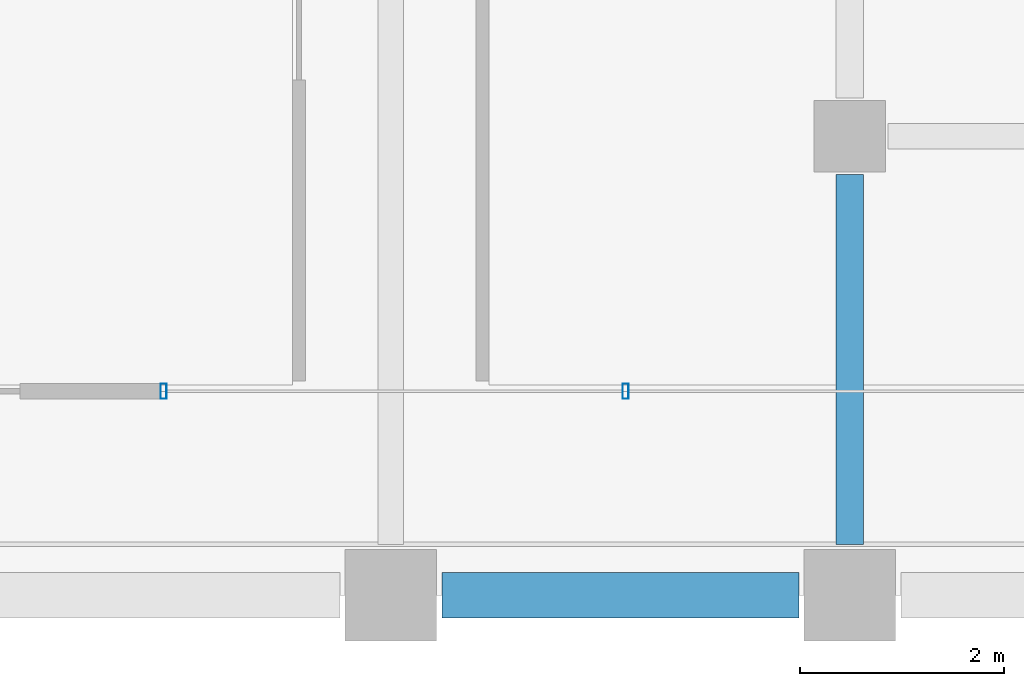
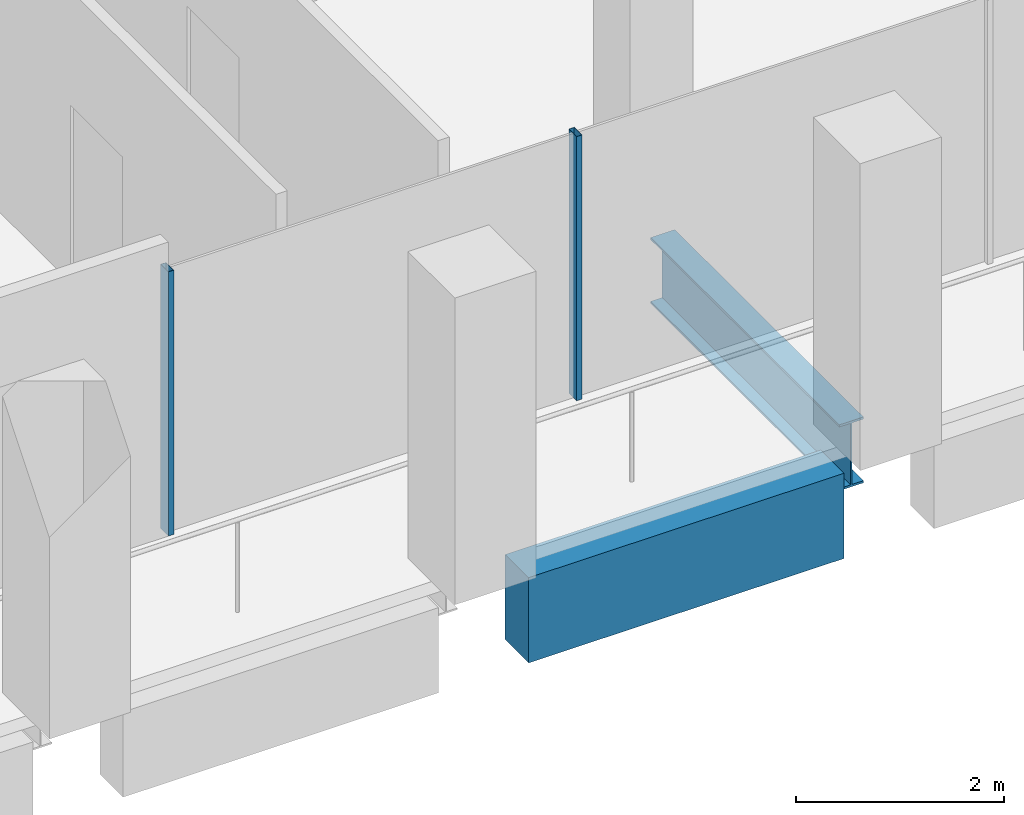
# One storey, part 9 of 44: 2 beams, 2 members, 1 element without a shape of its own.
"""IFC4 building model written with IfcOpenShell, lengths in metres."""

from ifc_helpers import new_model, si_unit, direction, frame, origin, origin_2d, place, context, subcontext, project, spatial, rectangle, hollow_rectangle, i_section, extrude, material, material_profile, profile_set, type_object, element, aggregate, save


model = new_model("IFC4")

# Units and contexts
model_context = context("Model", 3, precision=1e-05, world=origin(), true_north=direction((0.0, 1.0)))
body_context = subcontext(model_context, "Body", "Model", "MODEL_VIEW")
ifc_project = project(units=[si_unit("LENGTHUNIT", "METRE"), si_unit("AREAUNIT", "SQUARE_METRE"), si_unit("VOLUMEUNIT", "CUBIC_METRE"), si_unit("PLANEANGLEUNIT", "RADIAN"), si_unit("MASSUNIT", "GRAM", prefix="KILO")], contexts=[model_context])

# Site, building, storey
site_placement = place(None, origin())
site = spatial("IfcSite", under=ifc_project, at=site_placement, CompositionType="ELEMENT")
building_placement = place(site_placement, origin())
building = spatial("IfcBuilding", under=site, at=building_placement, Name="Altepetl Exchange Towers", CompositionType="ELEMENT")
storey_placement = place(building_placement, frame((0.0, 0.0, 143.800048828125)))
storey = spatial("IfcBuildingStorey", under=building, at=storey_placement, Name="L35", CompositionType="ELEMENT", Elevation=143.800048828125)

# Beam
ifc_material_1 = material(Name="Steel S355", Category="steel")
ifc_material_profile_1 = material_profile(ifc_material_1, i_section(OverallWidth=0.26806640625, OverallDepth=0.77392578125, WebThickness=0.015380859375, FlangeThickness=0.025390625, at=origin_2d()), Name="W30X132")
ifc_profile_set_1 = profile_set([ifc_material_profile_1], Name="Steel S355")
beam_type_1 = type_object("IfcBeamType", Name="Girder W30X132", PredefinedType="BEAM", material=ifc_profile_set_1)
beam_1_placement = place(storey_placement, frame((58.5, 31.125, -0.537109375), z_axis=(0.0, -1.0, 0.0), x_axis=(1.0, 0.0, 0.0)))
element("IfcBeam", 1, at=beam_1_placement, inside=storey, type_object=beam_type_1, Name="gd:A:L35:005", PredefinedType="BEAM", context=body_context, shape_type="SweptSolid", body=[
    extrude(i_section(OverallWidth=0.26806640625, OverallDepth=0.77392578125, WebThickness=0.015380859375, FlangeThickness=0.025390625, at=origin_2d()), origin(), (0.0, 0.0, 1.0), 3.625),
])

# Curtain wall, members
ifc_material_2 = material(Name="Aluminium 6063-T6 glazing", Category="aluminium")
curtain_wall_type = type_object("IfcCurtainWallType", Name="Loggia glazing system", PredefinedType="NOTDEFINED", material=ifc_material_2)
curtain_wall_placement = place(storey_placement, origin())
curtain_wall = element("IfcCurtainWall", 2, at=curtain_wall_placement, inside=storey, type_object=curtain_wall_type, Name="CW1 run", PredefinedType="NOTDEFINED")
ifc_material_3 = material(Name="Aluminium 6063-T6", Category="aluminium")
ifc_material_profile_2 = material_profile(ifc_material_3, hollow_rectangle(XDim=0.06005859375, YDim=0.14990234375, WallThickness=0.0029296875, at=origin_2d()), Name="Mullion 60x150 aluminium")
ifc_profile_set_2 = profile_set([ifc_material_profile_2], Name="Aluminium 6063-T6")
member_type = type_object("IfcMemberType", Name="Mullion 60x150 aluminium", PredefinedType="MULLION", material=ifc_profile_set_2)
member_1_placement = place(storey_placement, frame((51.77294921875, 29.0, 0.0)))
member_1 = element("IfcMember", 3, at=member_1_placement, type_object=member_type, Name="MU1 mullion", PredefinedType="MULLION", context=body_context, shape_type="SweptSolid", body=[
    extrude(hollow_rectangle(XDim=0.06005859375, YDim=0.14990234375, WallThickness=0.0029296875, at=origin_2d()), origin(), (0.0, 0.0, 1.0), 3.099853515625),
])
member_2_placement = place(storey_placement, frame((56.303466796875, 29.0, 0.0)))
member_2 = element("IfcMember", 4, at=member_2_placement, type_object=member_type, Name="MU1 mullion", PredefinedType="MULLION", context=body_context, shape_type="SweptSolid", body=[
    extrude(hollow_rectangle(XDim=0.06005859375, YDim=0.14990234375, WallThickness=0.0029296875, at=origin_2d()), origin(), (0.0, 0.0, 1.0), 3.099853515625),
])
aggregate(curtain_wall, [member_1, member_2])

# Beam
ifc_material_4 = material(Name="Concrete C50/60 precast with cantera blanca facing", Category="concrete")
ifc_material_profile_3 = material_profile(ifc_material_4, rectangle(XDim=0.449951171875, YDim=1.0, at=origin_2d()), Name="450 x 1000")
ifc_profile_set_3 = profile_set([ifc_material_profile_3], Name="Concrete C50/60 precast with cantera blanca facing")
beam_type_2 = type_object("IfcBeamType", Name="Spandrel beam 450x1000 cantera blanca", PredefinedType="SPANDREL", material=ifc_profile_set_3)
beam_2_placement = place(storey_placement, frame((54.5, 27.0, -0.650146484375), z_axis=(1.0, 0.0, 0.0), x_axis=(0.0, 1.0, 0.0)))
element("IfcBeam", 5, at=beam_2_placement, inside=storey, type_object=beam_type_2, Name="sp:A:L35:005", PredefinedType="SPANDREL", context=body_context, shape_type="SweptSolid", body=[
    extrude(rectangle(XDim=0.449951171875, YDim=1.0, at=origin_2d()), origin(), (0.0, 0.0, 1.0), 3.5),
])

save(model, "model.ifc")
